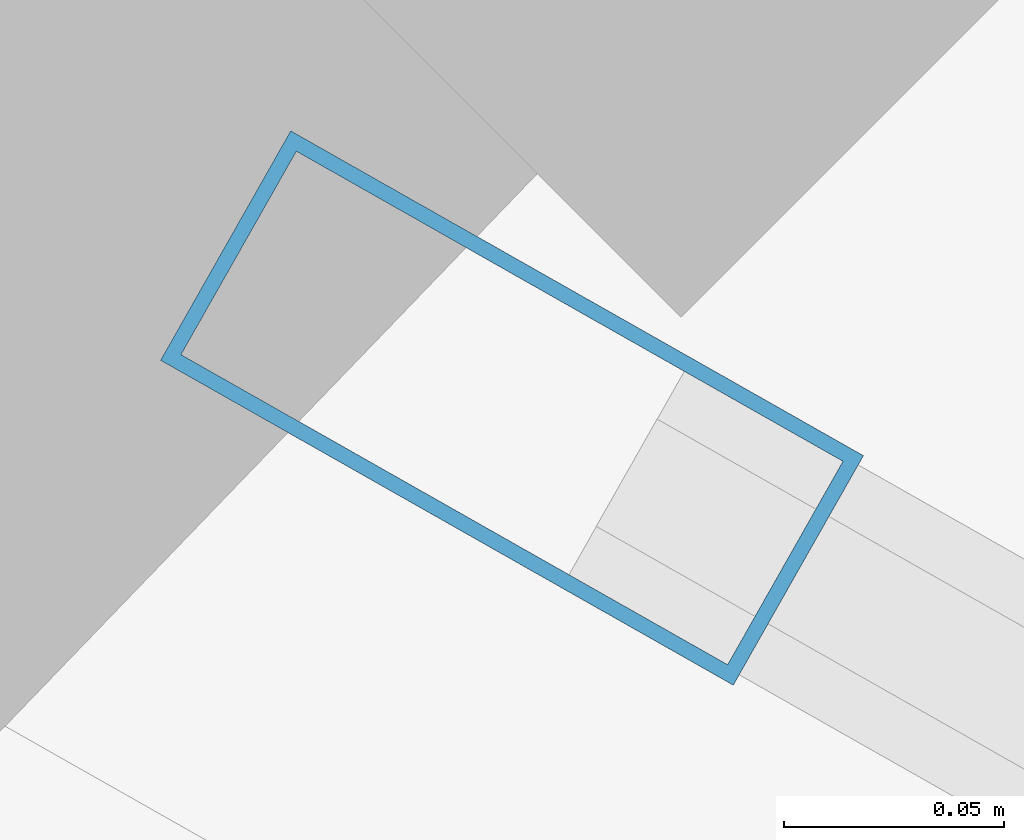
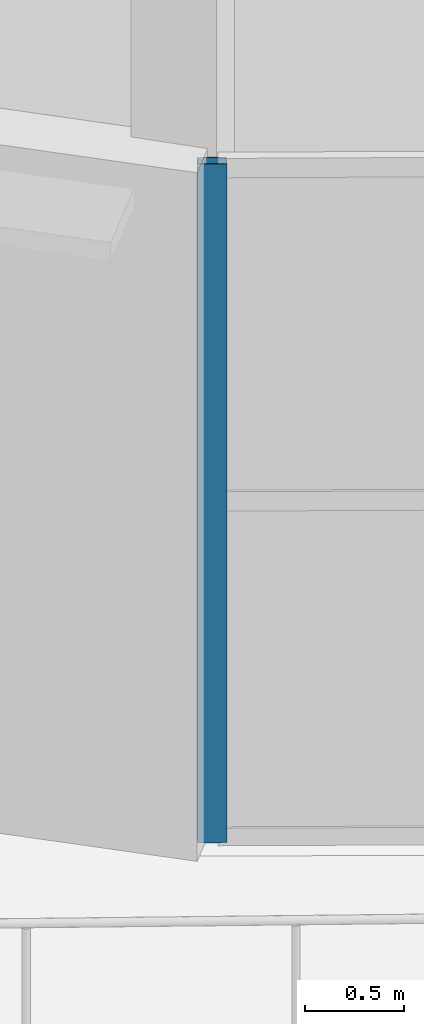
# One storey, part 20 of 123: 1 member, 1 element without a shape of its own.
"""IFC4 building model written with IfcOpenShell, lengths in metres."""

import ifcopenshell
import ifcopenshell.guid

model = None  # the IFC model being written
_history = None  # IfcOwnerHistory: only IFC2X3 demands one
_inside = {}  # id of a spatial element -> (the spatial element, [elements in it])
_under = {}  # id of a project, library or spatial element -> (it, [spatial elements below it])
_declared = {}  # id of a project -> (the project, [libraries it declares])
_typed = {}  # id of a type object -> (the type object, [elements of that type])
_made_of = {}  # id of a material, layer set ... -> (it, [elements and type objects made of it])


def new_model(schema):
    """Start an empty IFC model of exactly this schema.

    Asked for "IFC4X3", IfcOpenShell would pick the latest addendum, in which some entities
    have other attributes; the version numbers below select the first issue.
    IFC2X3 requires an IfcOwnerHistory on every rooted entity: one is made here for all.
    """
    global model, _history
    if schema == "IFC4X3":
        model = ifcopenshell.file(schema_version=(4, 3, 0, 0))
    else:
        model = ifcopenshell.file(schema=schema)
    _inside.clear()
    _under.clear()
    _declared.clear()
    _typed.clear()
    _made_of.clear()
    _history = None
    if model.schema == "IFC2X3":
        org = make("IfcOrganization", Name="unknown")
        user = make(
            "IfcPersonAndOrganization",
            ThePerson=make("IfcPerson", FamilyName="unknown"),
            TheOrganization=org,
        )
        app = make(
            "IfcApplication",
            ApplicationDeveloper=org,
            Version="unknown",
            ApplicationFullName="unknown",
            ApplicationIdentifier="unknown",
        )
        _history = make(
            "IfcOwnerHistory",
            OwningUser=user,
            OwningApplication=app,
            ChangeAction="ADDED",
            CreationDate=0,
        )
    return model


def make(cls, **values):
    """One entity of the class cls with the attributes given. An attribute that is None is left unset."""
    return model.create_entity(
        cls, **{name: value for name, value in values.items() if value is not None}
    )


def rooted(cls, **values):
    """An entity with a GlobalId (a new one), such as an element, a storey or a relation."""
    return make(cls, GlobalId=ifcopenshell.guid.new(), OwnerHistory=_history, **values)


def si_unit(unit_type, name, prefix=None):
    """IfcSIUnit, for example si_unit("LENGTHUNIT", "METRE", prefix="MILLI")."""
    return make("IfcSIUnit", UnitType=unit_type, Prefix=prefix, Name=name)


def assignment(units):
    """IfcUnitAssignment: the units of a project."""
    return None if units is None else make("IfcUnitAssignment", Units=units)


def point(xyz):
    """IfcCartesianPoint."""
    return None if xyz is None else make("IfcCartesianPoint", Coordinates=xyz)


def direction(xyz):
    """IfcDirection."""
    return None if xyz is None else make("IfcDirection", DirectionRatios=xyz)


def frame(location, z_axis=None, x_axis=None):
    """IfcAxis2Placement3D, a coordinate frame: its origin and axes. An axis left out is left unset."""
    return make(
        "IfcAxis2Placement3D",
        Location=point(location),
        Axis=direction(z_axis),
        RefDirection=direction(x_axis),
    )


def frame_2d(location, x_axis=None):
    """IfcAxis2Placement2D, a coordinate frame in the plane: its origin and x axis."""
    return make(
        "IfcAxis2Placement2D", Location=point(location), RefDirection=direction(x_axis)
    )


def origin():
    """The frame at (0, 0, 0) with its axes left unset."""
    return frame((0.0, 0.0, 0.0))


def origin_2d():
    """The frame at (0, 0) in the plane with its x axis left unset."""
    return frame_2d((0.0, 0.0))


def place(relative_to, where):
    """IfcLocalPlacement: puts the frame where relative to a parent placement (None: the world)."""
    return make(
        "IfcLocalPlacement", PlacementRelTo=relative_to, RelativePlacement=where
    )


def context(
    kind, dimensions, precision=None, world=None, true_north=None, identifier=None
):
    """IfcGeometricRepresentationContext, for example the 3D "Model" context."""
    return make(
        "IfcGeometricRepresentationContext",
        ContextIdentifier=identifier,
        ContextType=kind,
        CoordinateSpaceDimension=dimensions,
        Precision=precision,
        WorldCoordinateSystem=world,
        TrueNorth=true_north,
    )


def subcontext(parent, identifier, kind, view, scale=None):
    """IfcGeometricRepresentationSubContext, for example "Body" below "Model"."""
    return make(
        "IfcGeometricRepresentationSubContext",
        ContextIdentifier=identifier,
        ContextType=kind,
        ParentContext=parent,
        TargetScale=scale,
        TargetView=view,
    )


def project(units=None, contexts=None):
    """IfcProject with its units and contexts."""
    return rooted(
        "IfcProject",
        Name="project",
        RepresentationContexts=contexts,
        UnitsInContext=assignment(units),
    )


def spatial(cls, under=None, at=None, **own):
    """A site, building, storey or space (cls), placed at a placement, below another one or the project."""
    s = rooted(cls, ObjectPlacement=at, **own)
    if under is not None:
        _under.setdefault(under.id(), (under, []))[1].append(s)
    return s


def profile(cls, at=None, kind="AREA", **sizes):
    """A parametric profile (cls). Its sizes go by their IFC names, for example OverallWidth=200.0."""
    return make(cls, ProfileType=kind, Position=at, **sizes)


def hollow_rectangle(**sizes):
    """IfcRectangleHollowProfileDef."""
    return profile("IfcRectangleHollowProfileDef", **sizes)


def extrude(swept, where, along, depth):
    """IfcExtrudedAreaSolid: the profile swept, set in the frame where, extruded along a direction by depth."""
    return make(
        "IfcExtrudedAreaSolid",
        SweptArea=swept,
        Position=where,
        ExtrudedDirection=direction(along),
        Depth=depth,
    )


def shape(context_of_items, identifier, shape_type, items):
    """IfcShapeRepresentation: the items that make up one representation, for example the "Body"."""
    return make(
        "IfcShapeRepresentation",
        ContextOfItems=context_of_items,
        RepresentationIdentifier=identifier,
        RepresentationType=shape_type,
        Items=items,
    )


def material(Name=None, Category=None):
    """IfcMaterial."""
    return make("IfcMaterial", Name=Name, Category=Category)


def layer(
    of_material, thickness, ventilated=None, Name=None, Category=None, Priority=None
):
    """IfcMaterialLayer: one layer of a wall or slab, of a material (None: an air gap)."""
    return make(
        "IfcMaterialLayer",
        Material=of_material,
        LayerThickness=thickness,
        IsVentilated=ventilated,
        Name=Name,
        Category=Category,
        Priority=Priority,
    )


def layer_set(layers, Name=None):
    """IfcMaterialLayerSet."""
    return make("IfcMaterialLayerSet", MaterialLayers=layers, LayerSetName=Name)


def material_profile(
    of_material, cross_section, Name=None, Category=None, Priority=None
):
    """IfcMaterialProfile: a cross section and its material."""
    return make(
        "IfcMaterialProfile",
        Name=Name,
        Material=of_material,
        Profile=cross_section,
        Priority=Priority,
        Category=Category,
    )


def profile_set(profiles, Name=None, composite=None):
    """IfcMaterialProfileSet."""
    return make(
        "IfcMaterialProfileSet",
        Name=Name,
        MaterialProfiles=profiles,
        CompositeProfile=composite,
    )


def made_of(thing, what):
    """Note that an element or type object is made of a material, layer set ...; save() writes the relation."""
    if what is not None:
        _made_of.setdefault(what.id(), (what, []))[1].append(thing)
    return thing


def type_object(cls, material=None, **own):
    """A type object (cls), such as IfcWallType, which elements share."""
    return made_of(rooted(cls, **own), material)


def element(
    cls,
    number,
    at=None,
    inside=None,
    cuts=None,
    type_object=None,
    material=None,
    context=None,
    identifier="Body",
    shape_type=None,
    held_by="IfcProductDefinitionShape",
    body=None,
    shapes=None,
    **own,
):
    """One element of the class cls, such as IfcWall. Its Tag is "e" and its number.

    at: its placement. inside: the storey or other place that contains it. cuts: it is an
    opening in that element (IfcRelVoidsElement). A single representation is given by context,
    identifier, shape_type and body (its items); several are given by shapes. held_by: the class
    of the entity that holds the representations. save() writes the other relations.
    """
    e = rooted(cls, Tag="e%d" % number, ObjectPlacement=at, **own)
    if body is not None:
        shapes = [shape(context, identifier, shape_type, body)]
    if shapes is not None:
        e.Representation = make(held_by, Representations=shapes)
    if inside is not None:
        _inside.setdefault(inside.id(), (inside, []))[1].append(e)
    if cuts is not None:
        rooted(
            "IfcRelVoidsElement", RelatingBuildingElement=cuts, RelatedOpeningElement=e
        )
    if type_object is not None:
        _typed.setdefault(type_object.id(), (type_object, []))[1].append(e)
    return made_of(e, material)


def aggregate(whole, parts):
    """IfcRelAggregates: a whole, such as a stair, and the parts it consists of."""
    return rooted("IfcRelAggregates", RelatingObject=whole, RelatedObjects=parts)


def save(model, path):
    """Write the relations noted so far, then the file.

    IfcRelAggregates (storeys below a building ...), IfcRelContainedInSpatialStructure (elements
    in a storey), IfcRelDefinesByType, IfcRelAssociatesMaterial and IfcRelDeclares: one each for
    every whole, place, type object, material and project.
    """
    for whole, parts in _under.values():
        aggregate(whole, parts)
    for where, things in _inside.values():
        rooted(
            "IfcRelContainedInSpatialStructure",
            RelatedElements=things,
            RelatingStructure=where,
        )
    for kind, things in _typed.values():
        rooted("IfcRelDefinesByType", RelatedObjects=things, RelatingType=kind)
    for what, things in _made_of.values():
        rooted("IfcRelAssociatesMaterial", RelatedObjects=things, RelatingMaterial=what)
    for by, libraries in _declared.values():
        rooted("IfcRelDeclares", RelatingContext=by, RelatedDefinitions=libraries)
    model.write(path)


model = new_model("IFC4")

# Units and contexts
model_context = context("Model", 3, precision=1e-05, world=origin(), true_north=direction((0.0, 1.0)))
body_context = subcontext(model_context, "Body", "Model", "MODEL_VIEW")
ifc_project = project(units=[si_unit("LENGTHUNIT", "METRE"), si_unit("AREAUNIT", "SQUARE_METRE"), si_unit("VOLUMEUNIT", "CUBIC_METRE"), si_unit("PLANEANGLEUNIT", "RADIAN"), si_unit("MASSUNIT", "GRAM", prefix="KILO")], contexts=[model_context])

# Site, building, storey
site_placement = place(None, origin())
site = spatial("IfcSite", under=ifc_project, at=site_placement, CompositionType="ELEMENT")
building_placement = place(site_placement, origin())
building = spatial("IfcBuilding", under=site, at=building_placement, Name="Kalgoora Escarpment Arena", CompositionType="ELEMENT")
storey_placement = place(building_placement, frame((0.0, 0.0, 9.89990234375)))
storey = spatial("IfcBuildingStorey", under=building, at=storey_placement, Name="L02", CompositionType="ELEMENT", Elevation=9.89990234375)

# Curtain wall, member
ifc_material_1 = material(Name=" Champagne anodised aluminium & double-glazed low-E", Category="aluminium")
ifc_layer = layer(ifc_material_1, 0.14990234375)
ifc_layer_set = layer_set([ifc_layer], Name="CW-UNIT-15")
curtain_wall_type = type_object("IfcCurtainWallType", Name="CW-UNIT-15", PredefinedType="NOTDEFINED", material=ifc_layer_set)
curtain_wall_placement = place(storey_placement, origin())
curtain_wall = element("IfcCurtainWall", 1, at=curtain_wall_placement, inside=storey, type_object=curtain_wall_type, Name="L02 unitised facade curtain wall 054", PredefinedType="NOTDEFINED")
ifc_material_2 = material(Name="Anodised aluminium 6063-T6", Category="aluminium")
ifc_material_profile = material_profile(ifc_material_2, hollow_rectangle(XDim=0.06005859375, YDim=0.14990234375, WallThickness=0.00341796875, at=origin_2d()))
ifc_profile_set = profile_set([ifc_material_profile], Name="Anodised aluminium 6063-T6")
member_type = type_object("IfcMemberType", Name="MEM-CW-MULL-150", PredefinedType="MULLION", material=ifc_profile_set)
member_placement = place(storey_placement, frame((34.130859375, 20.70458984375, 0.02001953125), z_axis=(0.0, 0.0, 1.0), x_axis=(-0.49334386581, -0.86983436933, 0.0)))
member = element("IfcMember", 2, at=member_placement, type_object=member_type, Name="CW-15 mullion 2", PredefinedType="MULLION", context=body_context, shape_type="SweptSolid", body=[
    extrude(hollow_rectangle(XDim=0.06005859375, YDim=0.14990234375, WallThickness=0.00341796875, at=origin_2d()), origin(), (0.0, 0.0, 1.0), 4.205078125),
])
aggregate(curtain_wall, [member])

save(model, "model.ifc")
